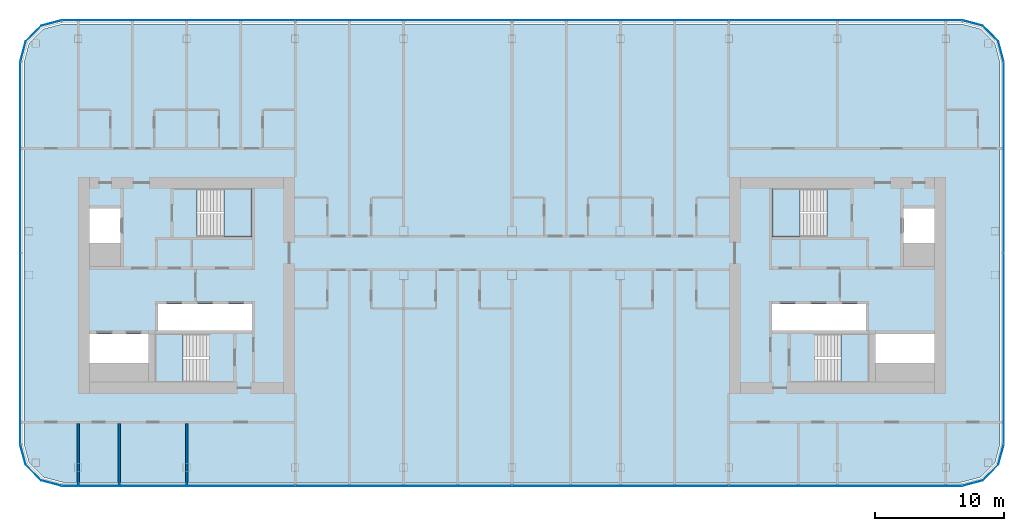
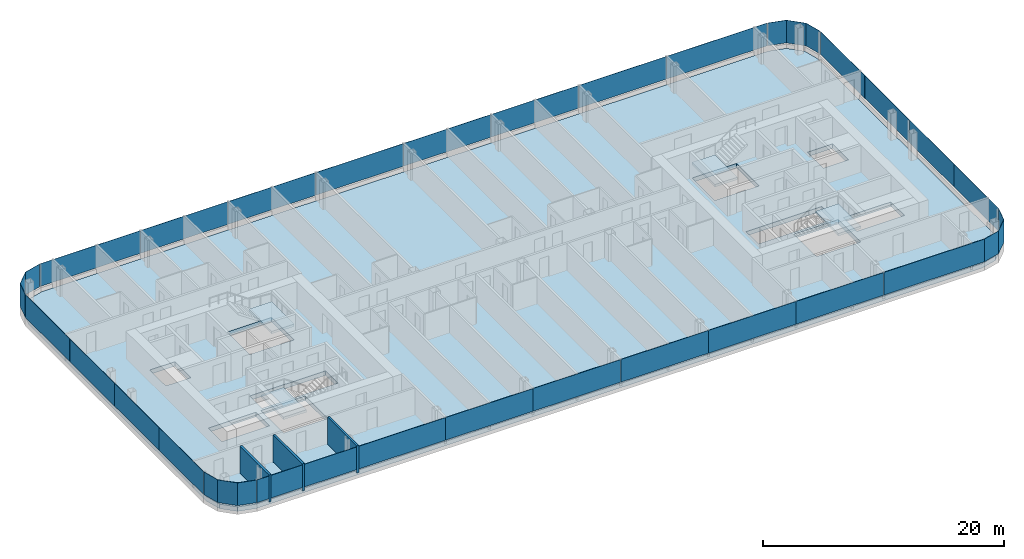
# One storey, part 12 of 26: 28 plates, 5 slabs, 3 walls, 12 elements without a shape of their own.
"""IFC4 building model written with IfcOpenShell, lengths in metres."""

from ifc_helpers import new_model, si_unit, direction, frame, frame_2d, origin, origin_2d, place, context, subcontext, project, spatial, polyline, rectangle, outline, extrude, material, layer, layer_set, type_object, element, aggregate, save


model = new_model("IFC4")

# Units and contexts
model_context = context("Model", 3, precision=1e-05, world=origin(), true_north=direction((0.0, 1.0)))
body_context = subcontext(model_context, "Body", "Model", "MODEL_VIEW")
ifc_project = project(units=[si_unit("LENGTHUNIT", "METRE"), si_unit("AREAUNIT", "SQUARE_METRE"), si_unit("VOLUMEUNIT", "CUBIC_METRE"), si_unit("PLANEANGLEUNIT", "RADIAN"), si_unit("MASSUNIT", "GRAM", prefix="KILO")], contexts=[model_context])

# Site, building, storey
site_placement = place(None, origin())
site = spatial("IfcSite", under=ifc_project, at=site_placement, CompositionType="ELEMENT")
building_placement = place(site_placement, origin())
building = spatial("IfcBuilding", under=site, at=building_placement, Name="Hakoniwa Tower and Hamabe Station Hall", CompositionType="ELEMENT")
storey_placement = place(building_placement, frame((0.0, 0.0, 189.800048828125)))
storey = spatial("IfcBuildingStorey", under=building, at=storey_placement, Name="L53", CompositionType="ELEMENT", Elevation=189.800048828125)

# Stair, slab
ifc_material_1 = material(Name="Concrete C40", Category="concrete")
stair_type = type_object("IfcStairType", Name="ESCAPE STAIR 1800", PredefinedType="HALF_TURN_STAIR", material=ifc_material_1)
stair_1_placement = place(storey_placement, origin())
stair_1 = element("IfcStair", 1, at=stair_1_placement, inside=storey, type_object=stair_type, Name="Escape stair ST-1 L53", PredefinedType="HALF_TURN_STAIR")
ifc_material_2 = material(Name="Concrete C40", Category="concrete")
ifc_layer_1 = layer(ifc_material_2, 0.25)
ifc_layer_set_1 = layer_set([ifc_layer_1], Name="CORE STAIR LANDING 250")
slab_type_1 = type_object("IfcSlabType", Name="CORE STAIR LANDING 250", PredefinedType="LANDING", material=ifc_layer_set_1)
slab_1_placement = place(storey_placement, frame((0.0, 0.0, 1.349853515625)))
slab_1 = element("IfcSlab", 2, at=slab_1_placement, type_object=slab_type_1, Name="ST-1 landing 1", PredefinedType="LANDING", context=body_context, shape_type="SweptSolid", body=[
    extrude(outline(polyline([(-22.320068359375, 3.75), (-20.14990234375, 3.75), (-20.14990234375, 7.5), (-22.320068359375, 7.5), (-22.320068359375, 3.75)])), origin(), (0.0, 0.0, 1.0), 0.25),
])
aggregate(stair_1, [slab_1])

stair_2_placement = place(storey_placement, origin())
stair_2 = element("IfcStair", 3, at=stair_2_placement, inside=storey, type_object=stair_type, Name="Escape stair ST-2 L53", PredefinedType="HALF_TURN_STAIR")
slab_2_placement = place(storey_placement, frame((0.0, 0.0, 1.349853515625)))
slab_2 = element("IfcSlab", 4, at=slab_2_placement, type_object=slab_type_1, Name="ST-2 landing 1", PredefinedType="LANDING", context=body_context, shape_type="SweptSolid", body=[
    extrude(outline(polyline([(-25.47998046875, -7.5), (-27.64990234375, -7.5), (-27.64990234375, -3.75), (-25.47998046875, -3.75), (-25.47998046875, -7.5)])), origin(), (0.0, 0.0, 1.0), 0.25),
])
aggregate(stair_2, [slab_2])

stair_3_placement = place(storey_placement, origin())
stair_3 = element("IfcStair", 5, at=stair_3_placement, inside=storey, type_object=stair_type, Name="Escape stair ST-3 L53", PredefinedType="HALF_TURN_STAIR")
slab_3_placement = place(storey_placement, frame((0.0, 0.0, 1.349853515625)))
slab_3 = element("IfcSlab", 6, at=slab_3_placement, type_object=slab_type_1, Name="ST-3 landing 1", PredefinedType="LANDING", context=body_context, shape_type="SweptSolid", body=[
    extrude(outline(polyline([(22.320068359375, 3.75), (20.14990234375, 3.75), (20.14990234375, 7.5), (22.320068359375, 7.5), (22.320068359375, 3.75)])), origin(), (0.0, 0.0, 1.0), 0.25),
])
aggregate(stair_3, [slab_3])

stair_4_placement = place(storey_placement, origin())
stair_4 = element("IfcStair", 7, at=stair_4_placement, inside=storey, type_object=stair_type, Name="Escape stair ST-4 L53", PredefinedType="HALF_TURN_STAIR")
slab_4_placement = place(storey_placement, frame((0.0, 0.0, 1.349853515625)))
slab_4 = element("IfcSlab", 8, at=slab_4_placement, type_object=slab_type_1, Name="ST-4 landing 1", PredefinedType="LANDING", context=body_context, shape_type="SweptSolid", body=[
    extrude(outline(polyline([(25.47998046875, -7.5), (27.64990234375, -7.5), (27.64990234375, -3.75), (25.47998046875, -3.75), (25.47998046875, -7.5)])), origin(), (0.0, 0.0, 1.0), 0.25),
])
aggregate(stair_4, [slab_4])

# Curtain wall, plates
ifc_material_3 = material(Name="Dark low-e laminated glass", Category="glass")
ifc_layer_2 = layer(ifc_material_3, 0.199951171875)
ifc_layer_set_2 = layer_set([ifc_layer_2], Name="CW-1 UNITISED GUEST")
curtain_wall_type = type_object("IfcCurtainWallType", Name="CW-1 UNITISED GUEST", PredefinedType="NOTDEFINED", material=ifc_layer_set_2)
curtain_wall_1_placement = place(storey_placement, origin())
curtain_wall_1 = element("IfcCurtainWall", 9, at=curtain_wall_1_placement, inside=storey, type_object=curtain_wall_type, Name="CW-1 curtain wall", PredefinedType="NOTDEFINED")
ifc_material_4 = material(Name="Dark low-e laminated glass", Category="glass")
ifc_layer_3 = layer(ifc_material_4, 0.028076171875)
ifc_layer_set_3 = layer_set([ifc_layer_3], Name="CW-1 GLASS UNIT")
plate_type = type_object("IfcPlateType", Name="CW-1 GLASS UNIT", PredefinedType="CURTAIN_PANEL", material=ifc_layer_set_3)
plate_1_placement = place(storey_placement, frame((38.0859375, -8.592041015625, 0.35009765625), z_axis=(0.0, 0.0, 1.0), x_axis=(0.0, 1.0, 0.0)))
plate_1 = element("IfcPlate", 10, at=plate_1_placement, type_object=plate_type, Name="CW-1 glass unit", PredefinedType="CURTAIN_PANEL", context=body_context, shape_type="SweptSolid", body=[
    extrude(rectangle(XDim=7.374755859375, YDim=0.028076171875, at=origin_2d()), origin(), (0.0, 0.0, 1.0), 2.300048828125),
])
plate_2_placement = place(storey_placement, frame((38.0859375, -1.197265625, 0.35009765625), z_axis=(0.0, 0.0, 1.0), x_axis=(0.0, 1.0, 0.0)))
plate_2 = element("IfcPlate", 11, at=plate_2_placement, type_object=plate_type, Name="CW-1 glass unit", PredefinedType="CURTAIN_PANEL", context=body_context, shape_type="SweptSolid", body=[
    extrude(rectangle(XDim=7.374755859375, YDim=0.028076171875, at=origin_2d()), origin(), (0.0, 0.0, 1.0), 2.300048828125),
])
plate_3_placement = place(storey_placement, frame((38.0859375, 6.197265625, 0.35009765625), z_axis=(0.0, 0.0, 1.0), x_axis=(0.0, 1.0, 0.0)))
plate_3 = element("IfcPlate", 12, at=plate_3_placement, type_object=plate_type, Name="CW-1 glass unit", PredefinedType="CURTAIN_PANEL", context=body_context, shape_type="SweptSolid", body=[
    extrude(rectangle(XDim=7.374755859375, YDim=0.028076171875, at=origin_2d()), origin(), (0.0, 0.0, 1.0), 2.300048828125),
])
plate_4_placement = place(storey_placement, frame((38.0859375, 13.592041015625, 0.35009765625), z_axis=(0.0, 0.0, 1.0), x_axis=(0.0, 1.0, 0.0)))
plate_4 = element("IfcPlate", 13, at=plate_4_placement, type_object=plate_type, Name="CW-1 glass unit", PredefinedType="CURTAIN_PANEL", context=body_context, shape_type="SweptSolid", body=[
    extrude(rectangle(XDim=7.374755859375, YDim=0.028076171875, at=origin_2d()), origin(), (0.0, 0.0, 1.0), 2.300048828125),
])
aggregate(curtain_wall_1, [plate_1, plate_2, plate_3, plate_4])

# Curtain wall, plate
curtain_wall_2_placement = place(storey_placement, origin())
curtain_wall_2 = element("IfcCurtainWall", 14, at=curtain_wall_2_placement, inside=storey, type_object=curtain_wall_type, Name="CW-1 curtain wall", PredefinedType="NOTDEFINED")
plate_5_placement = place(storey_placement, frame((0.0, 0.0, 0.349853515625)))
plate_5 = element("IfcPlate", 15, at=plate_5_placement, type_object=plate_type, Name="CW-1 curved corner unit", PredefinedType="CURTAIN_PANEL", context=body_context, shape_type="SweptSolid", body=[
    extrude(outline(polyline([(38.089599609375, 17.328125), (37.6669921875, 18.9052734375), (36.455322265625, 20.116943359375), (34.878173828125, 20.53955078125), (34.870849609375, 20.5126953125), (36.44091796875, 20.092041015625), (37.641845703125, 18.890869140625), (38.0625, 17.32080078125), (38.089599609375, 17.328125)])), origin(), (0.0, 0.0, 1.0), 2.300048828125),
])
aggregate(curtain_wall_2, [plate_5])

# Curtain wall, plates
curtain_wall_3_placement = place(storey_placement, origin())
curtain_wall_3 = element("IfcCurtainWall", 16, at=curtain_wall_3_placement, inside=storey, type_object=curtain_wall_type, Name="CW-1 curtain wall", PredefinedType="NOTDEFINED")
plate_6_placement = place(storey_placement, frame((30.019775390625, 20.535888671875, 0.35009765625), z_axis=(0.0, 0.0, 1.0), x_axis=(-1.0, 0.0, 0.0)))
plate_6 = element("IfcPlate", 17, at=plate_6_placement, type_object=plate_type, Name="CW-1 glass unit", PredefinedType="CURTAIN_PANEL", context=body_context, shape_type="SweptSolid", body=[
    extrude(rectangle(XDim=9.619384765625, YDim=0.028076171875, at=origin_2d()), origin(), (0.0, 0.0, 1.0), 2.300048828125),
])
plate_7_placement = place(storey_placement, frame((21.0, 20.535888671875, 0.35009765625), z_axis=(0.0, 0.0, 1.0), x_axis=(-1.0, 0.0, 0.0)))
plate_7 = element("IfcPlate", 18, at=plate_7_placement, type_object=plate_type, Name="CW-1 glass unit", PredefinedType="CURTAIN_PANEL", context=body_context, shape_type="SweptSolid", body=[
    extrude(rectangle(XDim=8.3798828125, YDim=0.028076171875, at=origin_2d()), origin(), (0.0, 0.0, 1.0), 2.300048828125),
])
plate_8_placement = place(storey_placement, frame((12.60009765625, 20.535888671875, 0.35009765625), z_axis=(0.0, 0.0, 1.0), x_axis=(-1.0, 0.0, 0.0)))
plate_8 = element("IfcPlate", 19, at=plate_8_placement, type_object=plate_type, Name="CW-1 glass unit", PredefinedType="CURTAIN_PANEL", context=body_context, shape_type="SweptSolid", body=[
    extrude(rectangle(XDim=8.3798828125, YDim=0.028076171875, at=origin_2d()), origin(), (0.0, 0.0, 1.0), 2.300048828125),
])
plate_9_placement = place(storey_placement, frame((4.199951171875, 20.535888671875, 0.35009765625), z_axis=(0.0, 0.0, 1.0), x_axis=(-1.0, 0.0, 0.0)))
plate_9 = element("IfcPlate", 20, at=plate_9_placement, type_object=plate_type, Name="CW-1 glass unit", PredefinedType="CURTAIN_PANEL", context=body_context, shape_type="SweptSolid", body=[
    extrude(rectangle(XDim=8.3798828125, YDim=0.028076171875, at=origin_2d()), origin(), (0.0, 0.0, 1.0), 2.300048828125),
])
plate_10_placement = place(storey_placement, frame((-4.199951171875, 20.535888671875, 0.35009765625), z_axis=(0.0, 0.0, 1.0), x_axis=(-1.0, 0.0, 0.0)))
plate_10 = element("IfcPlate", 21, at=plate_10_placement, type_object=plate_type, Name="CW-1 glass unit", PredefinedType="CURTAIN_PANEL", context=body_context, shape_type="SweptSolid", body=[
    extrude(rectangle(XDim=8.3798828125, YDim=0.028076171875, at=origin_2d()), origin(), (0.0, 0.0, 1.0), 2.300048828125),
])
plate_11_placement = place(storey_placement, frame((-12.60009765625, 20.535888671875, 0.35009765625), z_axis=(0.0, 0.0, 1.0), x_axis=(-1.0, 0.0, 0.0)))
plate_11 = element("IfcPlate", 22, at=plate_11_placement, type_object=plate_type, Name="CW-1 glass unit", PredefinedType="CURTAIN_PANEL", context=body_context, shape_type="SweptSolid", body=[
    extrude(rectangle(XDim=8.3798828125, YDim=0.028076171875, at=origin_2d()), origin(), (0.0, 0.0, 1.0), 2.300048828125),
])
plate_12_placement = place(storey_placement, frame((-21.0, 20.535888671875, 0.35009765625), z_axis=(0.0, 0.0, 1.0), x_axis=(-1.0, 0.0, 0.0)))
plate_12 = element("IfcPlate", 23, at=plate_12_placement, type_object=plate_type, Name="CW-1 glass unit", PredefinedType="CURTAIN_PANEL", context=body_context, shape_type="SweptSolid", body=[
    extrude(rectangle(XDim=8.3798828125, YDim=0.028076171875, at=origin_2d()), origin(), (0.0, 0.0, 1.0), 2.300048828125),
])
plate_13_placement = place(storey_placement, frame((-30.019775390625, 20.535888671875, 0.35009765625), z_axis=(0.0, 0.0, 1.0), x_axis=(-1.0, 0.0, 0.0)))
plate_13 = element("IfcPlate", 24, at=plate_13_placement, type_object=plate_type, Name="CW-1 glass unit", PredefinedType="CURTAIN_PANEL", context=body_context, shape_type="SweptSolid", body=[
    extrude(rectangle(XDim=9.619384765625, YDim=0.028076171875, at=origin_2d()), origin(), (0.0, 0.0, 1.0), 2.300048828125),
])
aggregate(curtain_wall_3, [plate_6, plate_7, plate_8, plate_9, plate_10, plate_11, plate_12, plate_13])

# Curtain wall, plate
curtain_wall_4_placement = place(storey_placement, origin())
curtain_wall_4 = element("IfcCurtainWall", 25, at=curtain_wall_4_placement, inside=storey, type_object=curtain_wall_type, Name="CW-1 curtain wall", PredefinedType="NOTDEFINED")
plate_14_placement = place(storey_placement, frame((0.0, 0.0, 0.349853515625)))
plate_14 = element("IfcPlate", 26, at=plate_14_placement, type_object=plate_type, Name="CW-1 curved corner unit", PredefinedType="CURTAIN_PANEL", context=body_context, shape_type="SweptSolid", body=[
    extrude(outline(polyline([(-34.878173828125, 20.53955078125), (-36.455322265625, 20.116943359375), (-37.6669921875, 18.9052734375), (-38.089599609375, 17.328125), (-38.0625, 17.32080078125), (-37.641845703125, 18.890869140625), (-36.44091796875, 20.092041015625), (-34.870849609375, 20.5126953125), (-34.878173828125, 20.53955078125)])), origin(), (0.0, 0.0, 1.0), 2.300048828125),
])
aggregate(curtain_wall_4, [plate_14])

# Curtain wall, plates
curtain_wall_5_placement = place(storey_placement, origin())
curtain_wall_5 = element("IfcCurtainWall", 27, at=curtain_wall_5_placement, inside=storey, type_object=curtain_wall_type, Name="CW-1 curtain wall", PredefinedType="NOTDEFINED")
plate_15_placement = place(storey_placement, frame((-38.0859375, 13.592041015625, 0.35009765625), z_axis=(0.0, 0.0, 1.0), x_axis=(0.0, -1.0, 0.0)))
plate_15 = element("IfcPlate", 28, at=plate_15_placement, type_object=plate_type, Name="CW-1 glass unit", PredefinedType="CURTAIN_PANEL", context=body_context, shape_type="SweptSolid", body=[
    extrude(rectangle(XDim=7.374755859375, YDim=0.028076171875, at=origin_2d()), origin(), (0.0, 0.0, 1.0), 2.300048828125),
])
plate_16_placement = place(storey_placement, frame((-38.0859375, 6.197265625, 0.35009765625), z_axis=(0.0, 0.0, 1.0), x_axis=(0.0, -1.0, 0.0)))
plate_16 = element("IfcPlate", 29, at=plate_16_placement, type_object=plate_type, Name="CW-1 glass unit", PredefinedType="CURTAIN_PANEL", context=body_context, shape_type="SweptSolid", body=[
    extrude(rectangle(XDim=7.374755859375, YDim=0.028076171875, at=origin_2d()), origin(), (0.0, 0.0, 1.0), 2.300048828125),
])
plate_17_placement = place(storey_placement, frame((-38.0859375, -1.197265625, 0.35009765625), z_axis=(0.0, 0.0, 1.0), x_axis=(0.0, -1.0, 0.0)))
plate_17 = element("IfcPlate", 30, at=plate_17_placement, type_object=plate_type, Name="CW-1 glass unit", PredefinedType="CURTAIN_PANEL", context=body_context, shape_type="SweptSolid", body=[
    extrude(rectangle(XDim=7.374755859375, YDim=0.028076171875, at=origin_2d()), origin(), (0.0, 0.0, 1.0), 2.300048828125),
])
plate_18_placement = place(storey_placement, frame((-38.0859375, -8.592041015625, 0.35009765625), z_axis=(0.0, 0.0, 1.0), x_axis=(0.0, -1.0, 0.0)))
plate_18 = element("IfcPlate", 31, at=plate_18_placement, type_object=plate_type, Name="CW-1 glass unit", PredefinedType="CURTAIN_PANEL", context=body_context, shape_type="SweptSolid", body=[
    extrude(rectangle(XDim=7.374755859375, YDim=0.028076171875, at=origin_2d()), origin(), (0.0, 0.0, 1.0), 2.300048828125),
])
aggregate(curtain_wall_5, [plate_15, plate_16, plate_17, plate_18])

# Curtain wall, plate
curtain_wall_6_placement = place(storey_placement, origin())
curtain_wall_6 = element("IfcCurtainWall", 32, at=curtain_wall_6_placement, inside=storey, type_object=curtain_wall_type, Name="CW-1 curtain wall", PredefinedType="NOTDEFINED")
plate_19_placement = place(storey_placement, frame((0.0, 0.0, 0.349853515625)))
plate_19 = element("IfcPlate", 33, at=plate_19_placement, type_object=plate_type, Name="CW-1 curved corner unit", PredefinedType="CURTAIN_PANEL", context=body_context, shape_type="SweptSolid", body=[
    extrude(outline(polyline([(-38.089599609375, -12.328125), (-37.6669921875, -13.9052734375), (-36.455322265625, -15.116943359375), (-34.878173828125, -15.53955078125), (-34.870849609375, -15.5126953125), (-36.44091796875, -15.092041015625), (-37.641845703125, -13.890869140625), (-38.0625, -12.32080078125), (-38.089599609375, -12.328125)])), origin(), (0.0, 0.0, 1.0), 2.300048828125),
])
aggregate(curtain_wall_6, [plate_19])

# Curtain wall, plates
curtain_wall_7_placement = place(storey_placement, origin())
curtain_wall_7 = element("IfcCurtainWall", 34, at=curtain_wall_7_placement, inside=storey, type_object=curtain_wall_type, Name="CW-1 curtain wall", PredefinedType="NOTDEFINED")
plate_20_placement = place(storey_placement, frame((-30.019775390625, -15.535888671875, 0.35009765625), z_axis=(0.0, 0.0, 1.0), x_axis=(1.0, 0.0, 0.0)))
plate_20 = element("IfcPlate", 35, at=plate_20_placement, type_object=plate_type, Name="CW-1 glass unit", PredefinedType="CURTAIN_PANEL", context=body_context, shape_type="SweptSolid", body=[
    extrude(rectangle(XDim=9.619384765625, YDim=0.028076171875, at=origin_2d()), origin(), (0.0, 0.0, 1.0), 2.300048828125),
])
plate_21_placement = place(storey_placement, frame((-21.0, -15.535888671875, 0.35009765625), z_axis=(0.0, 0.0, 1.0), x_axis=(1.0, 0.0, 0.0)))
plate_21 = element("IfcPlate", 36, at=plate_21_placement, type_object=plate_type, Name="CW-1 glass unit", PredefinedType="CURTAIN_PANEL", context=body_context, shape_type="SweptSolid", body=[
    extrude(rectangle(XDim=8.3798828125, YDim=0.028076171875, at=origin_2d()), origin(), (0.0, 0.0, 1.0), 2.300048828125),
])
plate_22_placement = place(storey_placement, frame((-12.60009765625, -15.535888671875, 0.35009765625), z_axis=(0.0, 0.0, 1.0), x_axis=(1.0, 0.0, 0.0)))
plate_22 = element("IfcPlate", 37, at=plate_22_placement, type_object=plate_type, Name="CW-1 glass unit", PredefinedType="CURTAIN_PANEL", context=body_context, shape_type="SweptSolid", body=[
    extrude(rectangle(XDim=8.3798828125, YDim=0.028076171875, at=origin_2d()), origin(), (0.0, 0.0, 1.0), 2.300048828125),
])
plate_23_placement = place(storey_placement, frame((-4.199951171875, -15.535888671875, 0.35009765625), z_axis=(0.0, 0.0, 1.0), x_axis=(1.0, 0.0, 0.0)))
plate_23 = element("IfcPlate", 38, at=plate_23_placement, type_object=plate_type, Name="CW-1 glass unit", PredefinedType="CURTAIN_PANEL", context=body_context, shape_type="SweptSolid", body=[
    extrude(rectangle(XDim=8.3798828125, YDim=0.028076171875, at=origin_2d()), origin(), (0.0, 0.0, 1.0), 2.300048828125),
])
plate_24_placement = place(storey_placement, frame((4.199951171875, -15.535888671875, 0.35009765625), z_axis=(0.0, 0.0, 1.0), x_axis=(1.0, 0.0, 0.0)))
plate_24 = element("IfcPlate", 39, at=plate_24_placement, type_object=plate_type, Name="CW-1 glass unit", PredefinedType="CURTAIN_PANEL", context=body_context, shape_type="SweptSolid", body=[
    extrude(rectangle(XDim=8.3798828125, YDim=0.028076171875, at=origin_2d()), origin(), (0.0, 0.0, 1.0), 2.300048828125),
])
plate_25_placement = place(storey_placement, frame((12.60009765625, -15.535888671875, 0.35009765625), z_axis=(0.0, 0.0, 1.0), x_axis=(1.0, 0.0, 0.0)))
plate_25 = element("IfcPlate", 40, at=plate_25_placement, type_object=plate_type, Name="CW-1 glass unit", PredefinedType="CURTAIN_PANEL", context=body_context, shape_type="SweptSolid", body=[
    extrude(rectangle(XDim=8.3798828125, YDim=0.028076171875, at=origin_2d()), origin(), (0.0, 0.0, 1.0), 2.300048828125),
])
plate_26_placement = place(storey_placement, frame((21.0, -15.535888671875, 0.35009765625), z_axis=(0.0, 0.0, 1.0), x_axis=(1.0, 0.0, 0.0)))
plate_26 = element("IfcPlate", 41, at=plate_26_placement, type_object=plate_type, Name="CW-1 glass unit", PredefinedType="CURTAIN_PANEL", context=body_context, shape_type="SweptSolid", body=[
    extrude(rectangle(XDim=8.3798828125, YDim=0.028076171875, at=origin_2d()), origin(), (0.0, 0.0, 1.0), 2.300048828125),
])
plate_27_placement = place(storey_placement, frame((30.019775390625, -15.535888671875, 0.35009765625), z_axis=(0.0, 0.0, 1.0), x_axis=(1.0, 0.0, 0.0)))
plate_27 = element("IfcPlate", 42, at=plate_27_placement, type_object=plate_type, Name="CW-1 glass unit", PredefinedType="CURTAIN_PANEL", context=body_context, shape_type="SweptSolid", body=[
    extrude(rectangle(XDim=9.619384765625, YDim=0.028076171875, at=origin_2d()), origin(), (0.0, 0.0, 1.0), 2.300048828125),
])
aggregate(curtain_wall_7, [plate_20, plate_21, plate_22, plate_23, plate_24, plate_25, plate_26, plate_27])

# Curtain wall, plate
curtain_wall_8_placement = place(storey_placement, origin())
curtain_wall_8 = element("IfcCurtainWall", 43, at=curtain_wall_8_placement, inside=storey, type_object=curtain_wall_type, Name="CW-1 curtain wall", PredefinedType="NOTDEFINED")
plate_28_placement = place(storey_placement, frame((0.0, 0.0, 0.349853515625)))
plate_28 = element("IfcPlate", 44, at=plate_28_placement, type_object=plate_type, Name="CW-1 curved corner unit", PredefinedType="CURTAIN_PANEL", context=body_context, shape_type="SweptSolid", body=[
    extrude(outline(polyline([(34.878173828125, -15.53955078125), (36.455322265625, -15.116943359375), (37.6669921875, -13.9052734375), (38.089599609375, -12.328125), (38.0625, -12.32080078125), (37.641845703125, -13.890869140625), (36.44091796875, -15.092041015625), (34.870849609375, -15.5126953125), (34.878173828125, -15.53955078125)])), origin(), (0.0, 0.0, 1.0), 2.300048828125),
])
aggregate(curtain_wall_8, [plate_28])

# Slab
ifc_material_5 = material(Name="Concrete C42", Category="concrete")
ifc_layer_4 = layer(ifc_material_5, 0.449951171875)
ifc_layer_set_4 = layer_set([ifc_layer_4], Name="PT FLAT PLATE 450")
slab_type_2 = type_object("IfcSlabType", Name="PT FLAT PLATE 450", PredefinedType="FLOOR", material=ifc_layer_set_4)
slab_5_placement = place(storey_placement, frame((0.0, 0.0, -0.449951171875)))
element("IfcSlab", 45, at=slab_5_placement, inside=storey, type_object=slab_type_2, Name="Floor slab L53", PredefinedType="FLOOR", context=body_context, shape_type="SweptSolid", body=[
    extrude(outline(polyline([(37.800048828125, -12.25), (37.800048828125, 17.25), (37.398193359375, 18.75), (36.300048828125, 19.84814453125), (34.800048828125, 20.25), (-34.800048828125, 20.25), (-36.300048828125, 19.84814453125), (-37.398193359375, 18.75), (-37.800048828125, 17.25), (-37.800048828125, -12.25), (-37.398193359375, -13.75), (-36.300048828125, -14.84814453125), (-34.800048828125, -15.25), (34.800048828125, -15.25), (36.300048828125, -14.84814453125), (37.398193359375, -13.75), (37.800048828125, -12.25)]), holes=[polyline([(-27.39990234375, -3.5), (-27.39990234375, -1.449951171875), (-20.14990234375, -1.449951171875), (-20.14990234375, -3.5), (-27.39990234375, -3.5)]), polyline([(-32.699951171875, 3.300048828125), (-32.699951171875, 5.949951171875), (-30.300048828125, 5.949951171875), (-30.300048828125, 3.300048828125), (-32.699951171875, 3.300048828125)]), polyline([(-32.699951171875, -6.0), (-32.699951171875, -3.75), (-28.14990234375, -3.75), (-28.14990234375, -6.0), (-32.699951171875, -6.0)]), polyline([(-24.389892578125, 3.75), (-24.389892578125, 7.5), (-20.14990234375, 7.5), (-20.14990234375, 3.75), (-24.389892578125, 3.75)]), polyline([(-27.64990234375, -7.5), (-27.64990234375, -3.75), (-23.409912109375, -3.75), (-23.409912109375, -7.5), (-27.64990234375, -7.5)]), polyline([(20.14990234375, -3.5), (20.14990234375, -1.449951171875), (27.39990234375, -1.449951171875), (27.39990234375, -3.5), (20.14990234375, -3.5)]), polyline([(30.300048828125, 3.300048828125), (30.300048828125, 5.949951171875), (32.699951171875, 5.949951171875), (32.699951171875, 3.300048828125), (30.300048828125, 3.300048828125)]), polyline([(28.14990234375, -6.0), (28.14990234375, -3.75), (32.699951171875, -3.75), (32.699951171875, -6.0), (28.14990234375, -6.0)]), polyline([(20.14990234375, 3.75), (20.14990234375, 7.5), (24.389892578125, 7.5), (24.389892578125, 3.75), (20.14990234375, 3.75)]), polyline([(23.409912109375, -7.5), (23.409912109375, -3.75), (27.64990234375, -3.75), (27.64990234375, -7.5), (23.409912109375, -7.5)])]), origin(), (0.0, 0.0, 1.0), 0.449951171875),
])

# Walls
ifc_material_6 = material(Name="Fire-rated gypsum board partition", Category="gypsum")
ifc_layer_5 = layer(ifc_material_6, 0.199951171875)
ifc_layer_set_5 = layer_set([ifc_layer_5], Name="Party Wall 200")
wall_type = type_object("IfcWallType", Name="Party Wall 200", PredefinedType="PARTITIONING", material=ifc_layer_set_5)
for number, where, z_axis, x_axis, name in (
    (46, (-33.60009765625, -15.550048828125, 0.0), (0.0, 0.0, 1.0), (0.0, 1.0, 0.0), "GW-L53-021"),
    (47, (-30.409912109375, -15.550048828125, 0.0), (0.0, 0.0, 1.0), (0.0, 1.0, 0.0), "GW-L53-024"),
    (48, (-25.199951171875, -15.550048828125, 0.0), (0.0, 0.0, 1.0), (0.0, 1.0, 0.0), "GW-L53-027"),
):
    element("IfcWall", number, at=place(storey_placement, frame(where, z_axis=z_axis, x_axis=x_axis)), inside=storey, type_object=wall_type, Name=name, PredefinedType="PARTITIONING", context=body_context, shape_type="SweptSolid", body=[
        extrude(rectangle(XDim=4.85009765625, YDim=0.199951171875, at=frame_2d((2.425048828125, 0.0))), origin(), (0.0, 0.0, 1.0), 2.75),
    ])

save(model, "model.ifc")
